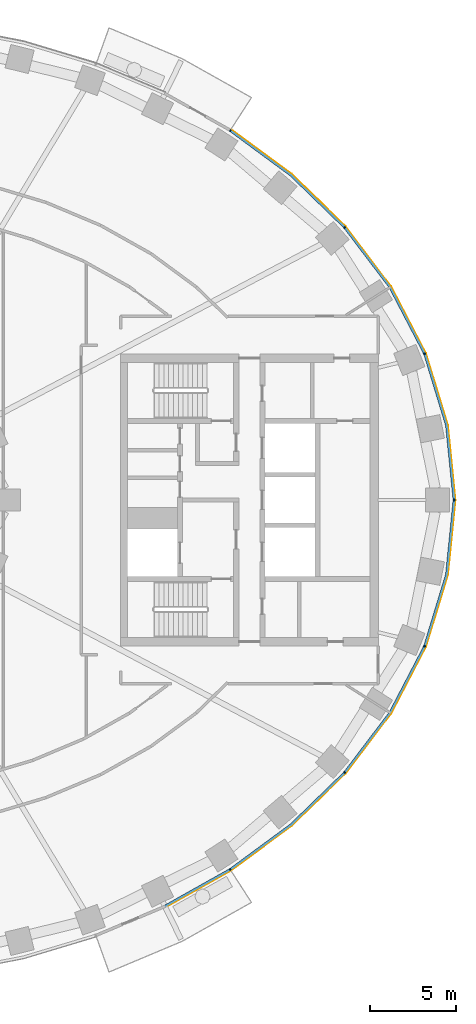
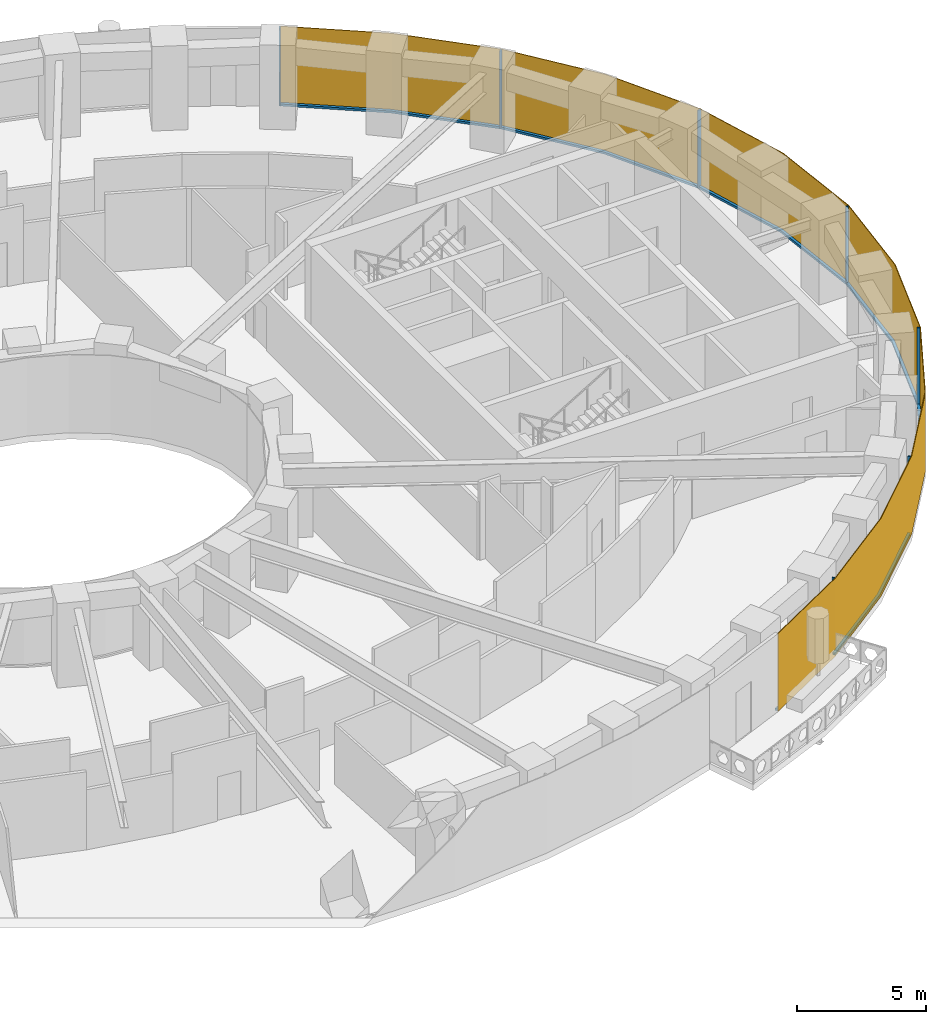
# One storey, part 12 of 16: 14 members, 1 curtain wall.
"""IFC4 building model written with IfcOpenShell, lengths in metres."""

from ifc_helpers import new_model, si_unit, direction, frame, origin, origin_2d, place, context, subcontext, project, spatial, polyline, rectangle, outline, extrude, material, layer, layer_set, material_profile, profile_set, type_object, element, aggregate, save


model = new_model("IFC4")

# Units and contexts
model_context = context("Model", 3, precision=1e-05, world=origin(), true_north=direction((0.0, 1.0)))
body_context = subcontext(model_context, "Body", "Model", "MODEL_VIEW")
ifc_project = project(units=[si_unit("LENGTHUNIT", "METRE"), si_unit("AREAUNIT", "SQUARE_METRE"), si_unit("VOLUMEUNIT", "CUBIC_METRE"), si_unit("PLANEANGLEUNIT", "RADIAN"), si_unit("MASSUNIT", "GRAM", prefix="KILO")], contexts=[model_context])

# Member
ifc_material_1 = material(Name="Aluminium 6063-T6 black anodised", Category="aluminium")
ifc_material_profile = material_profile(ifc_material_1, rectangle(XDim=0.1201171875, YDim=0.06005859375, at=origin_2d()), Name="120x60")
ifc_profile_set = profile_set([ifc_material_profile], Name="Aluminium 6063-T6 black anodised")
member_type_1 = type_object("IfcMemberType", Name="ENV-MULLION-A-120", PredefinedType="MULLION", material=ifc_profile_set)
site_placement = place(None, origin())
building_placement = place(site_placement, origin())
storey_placement = place(building_placement, frame((0.0, 0.0, 74.5)))
member_1_placement = place(storey_placement, frame((22.882568359375, -21.506591796875, 0.0), z_axis=(0.0, 0.0, 1.0), x_axis=(-0.542279153225, 0.840198381323, 0.0)))
member_1 = element("IfcMember", 1, at=member_1_placement, type_object=member_type_1, Name="Mullion A radial 41", PredefinedType="MULLION", context=body_context, shape_type="SweptSolid", body=[
    extrude(rectangle(XDim=0.1201171875, YDim=0.06005859375, at=origin_2d()), origin(), (0.0, 0.0, 1.0), 3.699951171875),
])

member_2_placement = place(storey_placement, frame((29.53857421875, -15.8671875, 0.0), z_axis=(0.0, 0.0, 1.0), x_axis=(-0.749047221705, 0.662516610853, 0.0)))
member_2 = element("IfcMember", 2, at=member_2_placement, type_object=member_type_1, Name="Mullion A radial 43", PredefinedType="MULLION", context=body_context, shape_type="SweptSolid", body=[
    extrude(rectangle(XDim=0.1201171875, YDim=0.06005859375, at=origin_2d()), origin(), (0.0, 0.0, 1.0), 3.699951171875),
])

member_3_placement = place(storey_placement, frame((34.19580078125, -8.513916015625, 0.0), z_axis=(0.0, 0.0, 1.0), x_axis=(-0.92546738067, 0.378827305398, 0.0)))
member_3 = element("IfcMember", 3, at=member_3_placement, type_object=member_type_1, Name="Mullion A radial 45", PredefinedType="MULLION", context=body_context, shape_type="SweptSolid", body=[
    extrude(rectangle(XDim=0.1201171875, YDim=0.06005859375, at=origin_2d()), origin(), (0.0, 0.0, 1.0), 3.699951171875),
])

member_4_placement = place(storey_placement, frame((35.907958984375, 0.0, 0.0), z_axis=(0.0, 0.0, 1.0), x_axis=(-1.0, 0.0, 0.0)))
member_4 = element("IfcMember", 4, at=member_4_placement, type_object=member_type_1, Name="Mullion A radial 01", PredefinedType="MULLION", context=body_context, shape_type="SweptSolid", body=[
    extrude(rectangle(XDim=0.1201171875, YDim=0.06005859375, at=origin_2d()), origin(), (0.0, 0.0, 1.0), 3.699951171875),
])

member_5_placement = place(storey_placement, frame((34.19580078125, 8.513916015625, 0.0), z_axis=(0.0, 0.0, 1.0), x_axis=(-0.92546738067, -0.378827305398, 0.0)))
member_5 = element("IfcMember", 5, at=member_5_placement, type_object=member_type_1, Name="Mullion A radial 03", PredefinedType="MULLION", context=body_context, shape_type="SweptSolid", body=[
    extrude(rectangle(XDim=0.1201171875, YDim=0.06005859375, at=origin_2d()), origin(), (0.0, 0.0, 1.0), 3.699951171875),
])

member_6_placement = place(storey_placement, frame((29.53857421875, 15.8671875, 0.0), z_axis=(0.0, 0.0, 1.0), x_axis=(-0.749047221705, -0.662516610853, 0.0)))
member_6 = element("IfcMember", 6, at=member_6_placement, type_object=member_type_1, Name="Mullion A radial 05", PredefinedType="MULLION", context=body_context, shape_type="SweptSolid", body=[
    extrude(rectangle(XDim=0.1201171875, YDim=0.06005859375, at=origin_2d()), origin(), (0.0, 0.0, 1.0), 3.699951171875),
])

member_7_placement = place(storey_placement, frame((22.882568359375, 21.506591796875, 0.0), z_axis=(0.0, 0.0, 1.0), x_axis=(-0.542279153225, -0.840198381323, 0.0)))
member_7 = element("IfcMember", 7, at=member_7_placement, type_object=member_type_1, Name="Mullion A radial 07", PredefinedType="MULLION", context=body_context, shape_type="SweptSolid", body=[
    extrude(rectangle(XDim=0.1201171875, YDim=0.06005859375, at=origin_2d()), origin(), (0.0, 0.0, 1.0), 3.699951171875),
])

ifc_material_2 = material(Name="Aluminium 6063-T6 black anodised", Category="aluminium")
member_type_2 = type_object("IfcMemberType", Name="ENV-TRANSOM-A", PredefinedType="USERDEFINED", material=ifc_material_2)
member_8_placement = place(storey_placement, origin())
member_8 = element("IfcMember", 8, at=member_8_placement, type_object=member_type_2, Name="Transom A radial 40-41", ObjectType="TRANSOM", PredefinedType="USERDEFINED", context=body_context, shape_type="SweptSolid", body=[
    extrude(outline(polyline([(19.111572265625, -23.691650390625), (22.890625, -21.570556640625), (22.825439453125, -21.469482421875), (19.058837890625, -23.58349609375), (19.111572265625, -23.691650390625)])), origin(), (0.0, 0.0, 1.0), 0.10009765625),
])

member_9_placement = place(storey_placement, origin())
member_9 = element("IfcMember", 9, at=member_9_placement, type_object=member_type_2, Name="Transom A radial 41-43", ObjectType="TRANSOM", PredefinedType="USERDEFINED", context=body_context, shape_type="SweptSolid", body=[
    extrude(outline(polyline([(22.937744140625, -21.540283203125), (26.4423828125, -18.958740234375), (29.5634765625, -15.926513671875), (29.473388671875, -15.8466796875), (26.364501953125, -18.866943359375), (22.87255859375, -21.439208984375), (22.937744140625, -21.540283203125)])), origin(), (0.0, 0.0, 1.0), 0.10009765625),
])

member_10_placement = place(storey_placement, origin())
member_10 = element("IfcMember", 10, at=member_10_placement, type_object=member_type_2, Name="Transom A radial 43-45", ObjectType="TRANSOM", PredefinedType="USERDEFINED", context=body_context, shape_type="SweptSolid", body=[
    extrude(outline(polyline([(29.6005859375, -15.884521484375), (32.22802734375, -12.41748046875), (34.23828125, -8.5615234375), (34.126708984375, -8.515869140625), (32.126220703125, -12.35302734375), (29.51025390625, -15.8046875), (29.6005859375, -15.884521484375)])), origin(), (0.0, 0.0, 1.0), 0.10009765625),
])

member_11_placement = place(storey_placement, origin())
member_11 = element("IfcMember", 11, at=member_11_placement, type_object=member_type_2, Name="Transom A radial 45-01", ObjectType="TRANSOM", PredefinedType="USERDEFINED", context=body_context, shape_type="SweptSolid", body=[
    extrude(outline(polyline([(34.259521484375, -8.509765625), (35.529541015625, -4.352294921875), (35.965087890625, -0.02783203125), (35.844482421875, -0.02783203125), (35.411376953125, -4.32861328125), (34.14794921875, -8.464111328125), (34.259521484375, -8.509765625)])), origin(), (0.0, 0.0, 1.0), 0.10009765625),
])

member_12_placement = place(storey_placement, origin())
member_12 = element("IfcMember", 12, at=member_12_placement, type_object=member_type_2, Name="Transom A radial 01-03", ObjectType="TRANSOM", PredefinedType="USERDEFINED", context=body_context, shape_type="SweptSolid", body=[
    extrude(outline(polyline([(35.965087890625, 0.02783203125), (35.529541015625, 4.352294921875), (34.259521484375, 8.509765625), (34.14794921875, 8.464111328125), (35.411376953125, 4.32861328125), (35.844482421875, 0.02783203125), (35.965087890625, 0.02783203125)])), origin(), (0.0, 0.0, 1.0), 0.10009765625),
])

member_13_placement = place(storey_placement, origin())
member_13 = element("IfcMember", 13, at=member_13_placement, type_object=member_type_2, Name="Transom A radial 03-05", ObjectType="TRANSOM", PredefinedType="USERDEFINED", context=body_context, shape_type="SweptSolid", body=[
    extrude(outline(polyline([(34.23828125, 8.5615234375), (32.22802734375, 12.41748046875), (29.6005859375, 15.884521484375), (29.51025390625, 15.8046875), (32.126220703125, 12.35302734375), (34.126708984375, 8.515869140625), (34.23828125, 8.5615234375)])), origin(), (0.0, 0.0, 1.0), 0.10009765625),
])

member_14_placement = place(storey_placement, origin())
member_14 = element("IfcMember", 14, at=member_14_placement, type_object=member_type_2, Name="Transom A radial 05-07", ObjectType="TRANSOM", PredefinedType="USERDEFINED", context=body_context, shape_type="SweptSolid", body=[
    extrude(outline(polyline([(29.5634765625, 15.926513671875), (26.4423828125, 18.958740234375), (22.937744140625, 21.540283203125), (22.87255859375, 21.439208984375), (26.364501953125, 18.866943359375), (29.473388671875, 15.8466796875), (29.5634765625, 15.926513671875)])), origin(), (0.0, 0.0, 1.0), 0.10009765625),
])

# Site, building, storey
site = spatial("IfcSite", under=ifc_project, at=site_placement, CompositionType="ELEMENT")
building = spatial("IfcBuilding", under=site, at=building_placement, Name="Noorbagh Ring Tower", CompositionType="ELEMENT")
storey = spatial("IfcBuildingStorey", under=building, at=storey_placement, Name="L16", CompositionType="ELEMENT", Elevation=74.5)

# Curtain wall
ifc_material_3 = material(Name="Glass dark tinted laminated", Category="glass")
ifc_layer = layer(ifc_material_3, 0.031982421875)
ifc_layer_set = layer_set([ifc_layer], Name="Glass dark tinted laminated")
curtain_wall_type = type_object("IfcCurtainWallType", Name="ENV-CW-A", PredefinedType="NOTDEFINED", material=ifc_layer_set)
curtain_wall_placement = place(storey_placement, origin())
curtain_wall = element("IfcCurtainWall", 15, at=curtain_wall_placement, inside=storey, type_object=curtain_wall_type, Name="Curtain wall A R40", PredefinedType="NOTDEFINED", context=body_context, shape_type="SweptSolid", body=[
    extrude(outline(polyline([(19.125732421875, -23.720458984375), (22.9326171875, -21.583740234375), (26.463134765625, -18.9833984375), (29.607666015625, -15.927978515625), (32.255126953125, -12.434814453125), (34.281005859375, -8.548828125), (35.561279296875, -4.358642578125), (36.0, 0.0), (35.561279296875, 4.358642578125), (34.281005859375, 8.548828125), (32.255126953125, 12.434814453125), (29.607666015625, 15.927978515625), (26.463134765625, 18.9833984375), (22.948486328125, 21.572021484375), (22.931396484375, 21.544921875), (26.4423828125, 18.958740234375), (29.58349609375, 15.906982421875), (32.22802734375, 12.41748046875), (34.251220703125, 8.53662109375), (35.529541015625, 4.352294921875), (35.9677734375, 0.0), (35.529541015625, -4.352294921875), (34.251220703125, -8.53662109375), (32.22802734375, -12.41748046875), (29.58349609375, -15.906982421875), (26.4423828125, -18.958740234375), (22.9150390625, -21.556884765625), (19.111572265625, -23.691650390625), (19.125732421875, -23.720458984375)])), origin(), (0.0, 0.0, 1.0), 3.699951171875),
])

aggregate(curtain_wall, [member_1, member_2, member_3, member_4, member_5, member_6, member_7, member_8, member_9, member_10, member_11, member_12, member_13, member_14])

save(model, "model.ifc")
